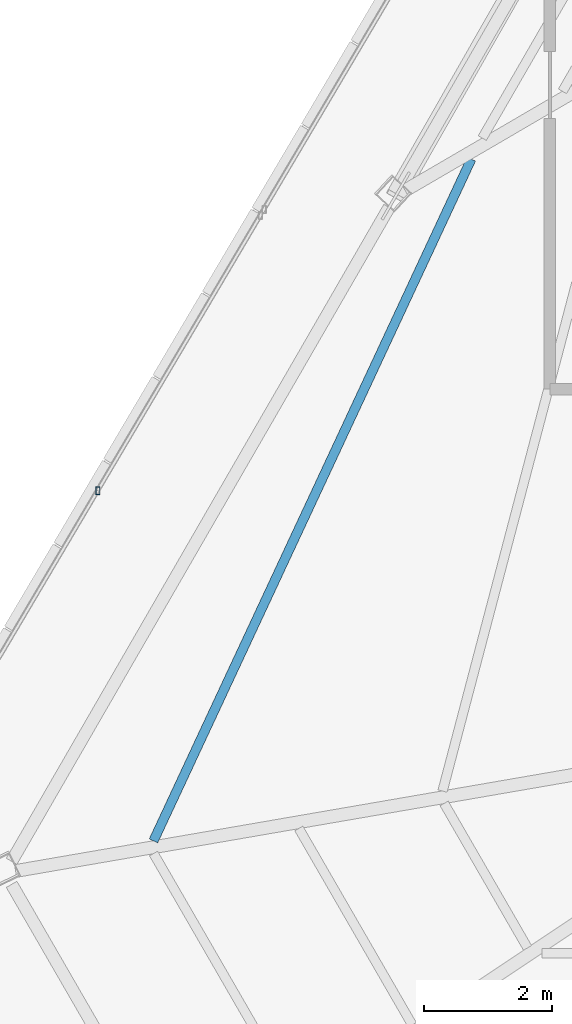
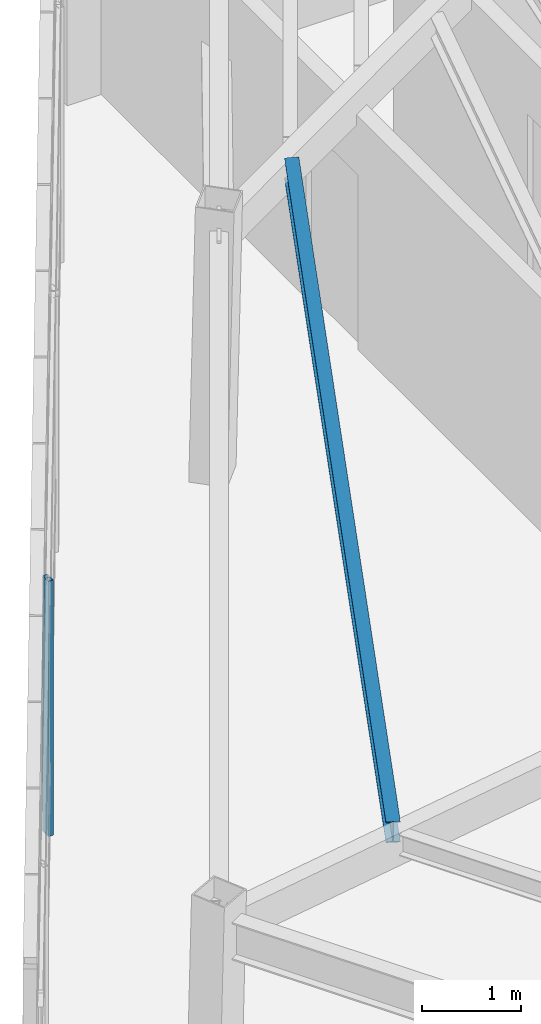
# One storey, part 9 of 44: 1 beam, 1 member, 1 element without a shape of its own.
"""IFC4 building model written with IfcOpenShell, lengths in metres."""

from ifc_helpers import new_model, si_unit, direction, frame, origin, origin_2d, place, context, subcontext, project, spatial, hollow_rectangle, i_section, extrude, source, transform, mapped, material, material_profile, profile_set, type_object, type_shapes, element, aggregate, save


model = new_model("IFC4")

# Units and contexts
model_context = context("Model", 3, precision=1e-05, world=origin(), true_north=direction((0.0, 1.0)))
body_context = subcontext(model_context, "Body", "Model", "MODEL_VIEW")
ifc_project = project(units=[si_unit("LENGTHUNIT", "METRE"), si_unit("AREAUNIT", "SQUARE_METRE"), si_unit("VOLUMEUNIT", "CUBIC_METRE"), si_unit("PLANEANGLEUNIT", "RADIAN"), si_unit("MASSUNIT", "GRAM", prefix="KILO")], contexts=[model_context])

# Site, building, storey
site_placement = place(None, origin())
site = spatial("IfcSite", under=ifc_project, at=site_placement, CompositionType="ELEMENT")
building_placement = place(site_placement, origin())
building = spatial("IfcBuilding", under=site, at=building_placement, Name="Caelisora Broadcast Tower", CompositionType="ELEMENT")
storey_placement = place(building_placement, frame((0.0, 0.0, 296.60009765625)))
storey = spatial("IfcBuildingStorey", under=building, at=storey_placement, Name="L78", CompositionType="ELEMENT", Elevation=296.60009765625)

# Beam
ifc_material_1 = material(Name="Steel Grade 350 (AS/NZS 3679.1)", Category="steel")
ifc_material_profile_1 = material_profile(ifc_material_1, i_section(OverallWidth=0.14599609375, OverallDepth=0.256103515625, WebThickness=0.00634765625, FlangeThickness=0.010986328125, at=origin_2d()), Name="Steel Grade 350 (AS/NZS 3679.1)")
ifc_profile_set_1 = profile_set([ifc_material_profile_1], Name="Steel Grade 350 (AS/NZS 3679.1)")
beam_type = type_object("IfcBeamType", Name="SB04", PredefinedType="JOIST", material=ifc_profile_set_1)
shared_shape_1 = source(origin(), body_context, "Body", "SweptSolid", [
    extrude(i_section(OverallWidth=0.14599609375, OverallDepth=0.256103515625, WebThickness=0.00634765625, FlangeThickness=0.010986328125, at=origin_2d()), origin(), (0.0, 0.0, 1.0), 11.740478515625),
])
type_shapes(beam_type, [shared_shape_1])
beam_placement = place(storey_placement, frame((24.1728515625, 26.193115234375, 3.021728515625), z_axis=(-0.422507480398, -0.906359436983, 0.0), x_axis=(0.906359436983, -0.422507480398, 0.0)))
element("IfcBeam", 1, at=beam_placement, inside=storey, type_object=beam_type, Name="L78 beam SB04", PredefinedType="JOIST", context=body_context, shape_type="MappedRepresentation", body=[
    mapped(shared_shape_1, transform((0.0, 0.0, 0.0), scale=1.0)),
])

# Curtain wall, member
ifc_material_2 = material(Name="Unitised Aluminium Insulated Shadow-Box Spandrel Curtain Wall", Category="aluminium")
curtain_wall_type = type_object("IfcCurtainWallType", Name="CW-SP3", PredefinedType="NOTDEFINED", material=ifc_material_2)
curtain_wall_placement = place(storey_placement, origin())
curtain_wall = element("IfcCurtainWall", 2, at=curtain_wall_placement, inside=storey, type_object=curtain_wall_type, Name="L78 curtain wall CW-SP3", PredefinedType="NOTDEFINED")
ifc_material_3 = material(Name="Aluminium 6063-T6 Anodised Terracotta Bronze", Category="aluminium")
ifc_material_profile_2 = material_profile(ifc_material_3, hollow_rectangle(XDim=0.06005859375, YDim=0.1201171875, WallThickness=0.0029296875, at=origin_2d()), Name="Aluminium 6063-T6 Anodised Terracotta Bronze")
ifc_profile_set_2 = profile_set([ifc_material_profile_2], Name="Aluminium 6063-T6 Anodised Terracotta Bronze")
member_type = type_object("IfcMemberType", Name="CWM-04", PredefinedType="MULLION", material=ifc_profile_set_2)
shared_shape_2 = source(origin(), body_context, "Body", "SweptSolid", [
    extrude(hollow_rectangle(XDim=0.06005859375, YDim=0.1201171875, WallThickness=0.0029296875, at=origin_2d()), origin(), (0.0, 0.0, 1.0), 3.14990234375),
])
type_shapes(member_type, [shared_shape_2])
member_placement = place(storey_placement, frame((18.34423828125, 21.018310546875, 0.0), z_axis=(0.0, 0.0, 1.0), x_axis=(1.0, 0.0, 0.0)))
member = element("IfcMember", 3, at=member_placement, type_object=member_type, Name="L78-CW-B09 mullion #2", PredefinedType="MULLION", context=body_context, shape_type="MappedRepresentation", body=[
    mapped(shared_shape_2, transform((0.0, 0.0, 0.0), scale=1.0)),
])
aggregate(curtain_wall, [member])

save(model, "model.ifc")
